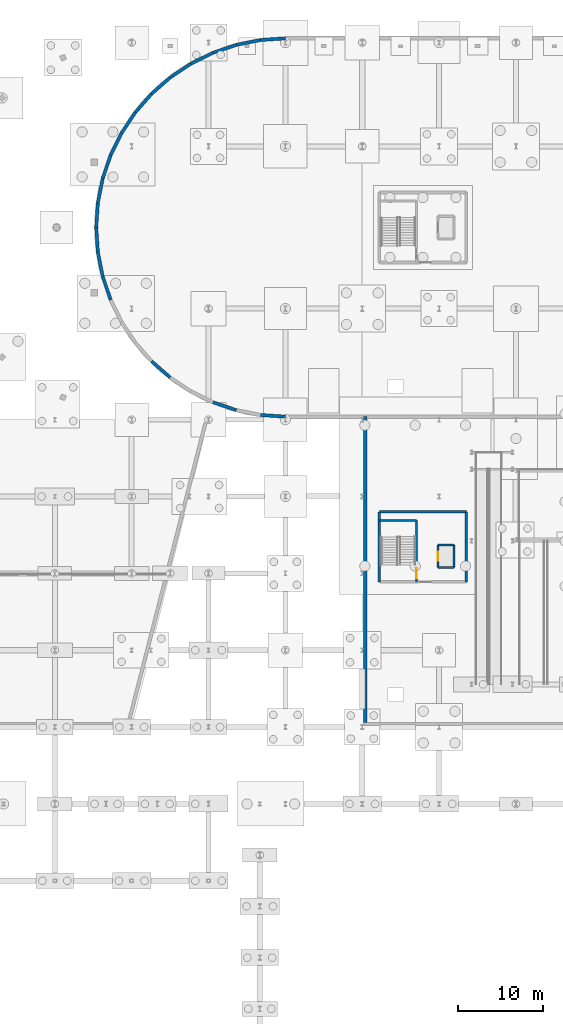
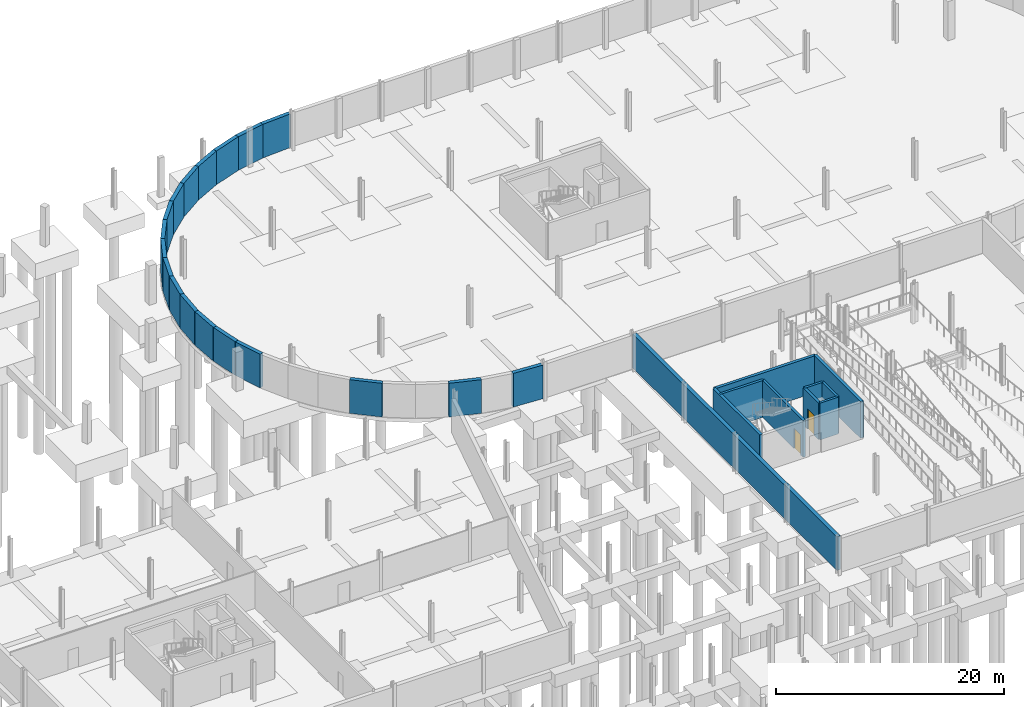
# One storey, part 35 of 42: 28 walls, 2 doors, 2 openings.
"""IFC4 building model written with IfcOpenShell, lengths in metres."""

from ifc_helpers import new_model, si_unit, direction, frame, frame_2d, origin, place, context, subcontext, project, spatial, rectangle, extrude, material, layer, layer_set, type_object, element, fill, save


model = new_model("IFC4")

# Units and contexts
model_context = context("Model", 3, precision=1e-05, world=origin(), true_north=direction((0.0, 1.0)))
body_context = subcontext(model_context, "Body", "Model", "MODEL_VIEW")
ifc_project = project(units=[si_unit("LENGTHUNIT", "METRE"), si_unit("AREAUNIT", "SQUARE_METRE"), si_unit("VOLUMEUNIT", "CUBIC_METRE"), si_unit("PLANEANGLEUNIT", "RADIAN"), si_unit("MASSUNIT", "GRAM", prefix="KILO")], contexts=[model_context])

# Site, building, storey
site_placement = place(None, origin())
site = spatial("IfcSite", under=ifc_project, at=site_placement, CompositionType="ELEMENT")
building_placement = place(site_placement, origin())
building = spatial("IfcBuilding", under=site, at=building_placement, Name="Deido Ridge Mobility Hub", CompositionType="ELEMENT")
storey_placement = place(building_placement, frame((0.0, 0.0, -4.199951171875)))
storey = spatial("IfcBuildingStorey", under=building, at=storey_placement, Name="B1", CompositionType="ELEMENT", Elevation=-4.199951171875)

# Walls
ifc_material_1 = material(Name="Concrete C40/50", Category="concrete")
ifc_layer_1 = layer(ifc_material_1, 0.3798828125, Name="Concrete C40/50")
ifc_layer_set_1 = layer_set([ifc_layer_1], Name="Concrete C40/50")
wall_type_1 = type_object("IfcWallType", Name="WL-RET-RC-380", PredefinedType="USERDEFINED", material=ifc_layer_set_1)
wall_1_placement = place(storey_placement, frame((72.35009765625, 45.5400390625, 0.0), z_axis=(0.0, 0.0, 1.0), x_axis=(0.0, 1.0, 0.0)))
element("IfcWall", 1, at=wall_1_placement, inside=storey, type_object=wall_type_1, Name="Basement perimeter retaining wall", ObjectType="RETAINING WALL", PredefinedType="USERDEFINED", context=body_context, shape_type="SweptSolid", body=[
    extrude(rectangle(XDim=35.81005859375, YDim=0.3798828125, at=frame_2d((17.905029296875, 0.0))), origin(), (0.0, 0.0, 1.0), 3.599853515625),
])
wall_2_placement = place(storey_placement, frame((63.0, 125.64990234375, 0.0), z_axis=(0.0, 0.0, 1.0), x_axis=(-0.997859834312, -0.065389227447, 0.0)))
element("IfcWall", 2, at=wall_2_placement, inside=storey, type_object=wall_type_1, Name="Basement drum retaining wall", ObjectType="RETAINING WALL", PredefinedType="USERDEFINED", context=body_context, shape_type="SweptSolid", body=[
    extrude(rectangle(XDim=2.897216796875, YDim=0.3798828125, at=frame_2d((1.44873046875, 0.0))), origin(), (0.0, 0.0, 1.0), 3.599853515625),
])
wall_3_placement = place(storey_placement, frame((60.10888671875, 125.46044921875, 0.0), z_axis=(0.0, 0.0, 1.0), x_axis=(-0.98079076097, -0.195062767323, 0.0)))
element("IfcWall", 3, at=wall_3_placement, inside=storey, type_object=wall_type_1, Name="Basement drum retaining wall", ObjectType="RETAINING WALL", PredefinedType="USERDEFINED", context=body_context, shape_type="SweptSolid", body=[
    extrude(rectangle(XDim=2.8974609375, YDim=0.3798828125, at=frame_2d((1.44873046875, 0.0))), origin(), (0.0, 0.0, 1.0), 3.599853515625),
])
for number, where, z_axis, x_axis, name in (
    (4, (57.26708984375, 124.895263671875, 0.0), (0.0, 0.0, 1.0), (-0.946915957425, -0.321481211852, 0.0), "Basement drum retaining wall"),
    (5, (54.523681640625, 123.9638671875, 0.0), (0.0, 0.0, 1.0), (-0.896907498554, -0.44221820297, 0.0), "Basement drum retaining wall"),
):
    element("IfcWall", number, at=place(storey_placement, frame(where, z_axis=z_axis, x_axis=x_axis)), inside=storey, type_object=wall_type_1, Name=name, ObjectType="RETAINING WALL", PredefinedType="USERDEFINED", context=body_context, shape_type="SweptSolid", body=[
        extrude(rectangle(XDim=2.897216796875, YDim=0.3798828125, at=frame_2d((1.44873046875, 0.0))), origin(), (0.0, 0.0, 1.0), 3.599853515625),
    ])
wall_4_placement = place(storey_placement, frame((51.925048828125, 122.6826171875, 0.0), z_axis=(0.0, 0.0, 1.0), x_axis=(-0.83145352938, -0.55559430206, 0.0)))
element("IfcWall", 6, at=wall_4_placement, inside=storey, type_object=wall_type_1, Name="Basement drum retaining wall", ObjectType="RETAINING WALL", PredefinedType="USERDEFINED", context=body_context, shape_type="SweptSolid", body=[
    extrude(rectangle(XDim=2.8974609375, YDim=0.3798828125, at=frame_2d((1.44873046875, 0.0))), origin(), (0.0, 0.0, 1.0), 3.599853515625),
])
for number, where, z_axis, x_axis, name in (
    (7, (49.515869140625, 121.07275390625, 0.0), (0.0, 0.0, 1.0), (-0.751814075381, -0.659375155779, 0.0), "Basement drum retaining wall"),
    (8, (47.337646484375, 119.162353515625, 0.0), (0.0, 0.0, 1.0), (-0.659375155779, -0.751814075381, 0.0), "Basement drum retaining wall"),
):
    element("IfcWall", number, at=place(storey_placement, frame(where, z_axis=z_axis, x_axis=x_axis)), inside=storey, type_object=wall_type_1, Name=name, ObjectType="RETAINING WALL", PredefinedType="USERDEFINED", context=body_context, shape_type="SweptSolid", body=[
        extrude(rectangle(XDim=2.897216796875, YDim=0.3798828125, at=frame_2d((1.44873046875, 0.0))), origin(), (0.0, 0.0, 1.0), 3.599853515625),
    ])
wall_5_placement = place(storey_placement, frame((45.42724609375, 116.984130859375, 0.0), z_axis=(0.0, 0.0, 1.0), x_axis=(-0.55559430206, -0.83145352938, 0.0)))
element("IfcWall", 9, at=wall_5_placement, inside=storey, type_object=wall_type_1, Name="Basement drum retaining wall", ObjectType="RETAINING WALL", PredefinedType="USERDEFINED", context=body_context, shape_type="SweptSolid", body=[
    extrude(rectangle(XDim=2.8974609375, YDim=0.3798828125, at=frame_2d((1.44873046875, 0.0))), origin(), (0.0, 0.0, 1.0), 3.599853515625),
])
for number, where, z_axis, x_axis, name in (
    (10, (43.8173828125, 114.574951171875, 0.0), (0.0, 0.0, 1.0), (-0.44221820297, -0.896907498554, 0.0), "Basement drum retaining wall"),
    (11, (42.5361328125, 111.976318359375, 0.0), (0.0, 0.0, 1.0), (-0.321481211852, -0.946915957425, 0.0), "Basement drum retaining wall"),
):
    element("IfcWall", number, at=place(storey_placement, frame(where, z_axis=z_axis, x_axis=x_axis)), inside=storey, type_object=wall_type_1, Name=name, ObjectType="RETAINING WALL", PredefinedType="USERDEFINED", context=body_context, shape_type="SweptSolid", body=[
        extrude(rectangle(XDim=2.897216796875, YDim=0.3798828125, at=frame_2d((1.44873046875, 0.0))), origin(), (0.0, 0.0, 1.0), 3.599853515625),
    ])
wall_6_placement = place(storey_placement, frame((41.604736328125, 109.23291015625, 0.0), z_axis=(0.0, 0.0, 1.0), x_axis=(-0.195062767323, -0.98079076097, 0.0)))
element("IfcWall", 12, at=wall_6_placement, inside=storey, type_object=wall_type_1, Name="Basement drum retaining wall", ObjectType="RETAINING WALL", PredefinedType="USERDEFINED", context=body_context, shape_type="SweptSolid", body=[
    extrude(rectangle(XDim=2.8974609375, YDim=0.3798828125, at=frame_2d((1.44873046875, 0.0))), origin(), (0.0, 0.0, 1.0), 3.599853515625),
])
for number, where, z_axis, x_axis, name in (
    (13, (41.03955078125, 106.39111328125, 0.0), (0.0, 0.0, 1.0), (-0.065389227447, -0.997859834312, 0.0), "Basement drum retaining wall"),
    (14, (40.85009765625, 103.5, 0.0), (0.0, 0.0, 1.0), (0.065389227447, -0.997859834312, 0.0), "Basement drum retaining wall"),
):
    element("IfcWall", number, at=place(storey_placement, frame(where, z_axis=z_axis, x_axis=x_axis)), inside=storey, type_object=wall_type_1, Name=name, ObjectType="RETAINING WALL", PredefinedType="USERDEFINED", context=body_context, shape_type="SweptSolid", body=[
        extrude(rectangle(XDim=2.897216796875, YDim=0.3798828125, at=frame_2d((1.44873046875, 0.0))), origin(), (0.0, 0.0, 1.0), 3.599853515625),
    ])
wall_7_placement = place(storey_placement, frame((41.03955078125, 100.60888671875, 0.0), z_axis=(0.0, 0.0, 1.0), x_axis=(0.195062767323, -0.98079076097, 0.0)))
element("IfcWall", 15, at=wall_7_placement, inside=storey, type_object=wall_type_1, Name="Basement drum retaining wall", ObjectType="RETAINING WALL", PredefinedType="USERDEFINED", context=body_context, shape_type="SweptSolid", body=[
    extrude(rectangle(XDim=2.8974609375, YDim=0.3798828125, at=frame_2d((1.44873046875, 0.0))), origin(), (0.0, 0.0, 1.0), 3.599853515625),
])
for number, where, z_axis, x_axis, name in (
    (16, (41.604736328125, 97.76708984375, 0.0), (0.0, 0.0, 1.0), (0.321481211852, -0.946915957425, 0.0), "Basement drum retaining wall"),
    (17, (47.337646484375, 87.837646484375, 0.0), (0.0, 0.0, 1.0), (0.751814075381, -0.659375155779, 0.0), "Basement drum retaining wall"),
    (18, (54.523681640625, 83.0361328125, 0.0), (0.0, 0.0, 1.0), (0.946915957425, -0.321481211852, 0.0), "Basement drum retaining wall"),
    (19, (60.10888671875, 81.53955078125, 0.0), (0.0, 0.0, 1.0), (0.997859834312, -0.065389227447, 0.0), "Basement drum retaining wall"),
):
    element("IfcWall", number, at=place(storey_placement, frame(where, z_axis=z_axis, x_axis=x_axis)), inside=storey, type_object=wall_type_1, Name=name, ObjectType="RETAINING WALL", PredefinedType="USERDEFINED", context=body_context, shape_type="SweptSolid", body=[
        extrude(rectangle(XDim=2.897216796875, YDim=0.3798828125, at=frame_2d((1.44873046875, 0.0))), origin(), (0.0, 0.0, 1.0), 3.599853515625),
    ])

# Wall, opening, door
ifc_layer_2 = layer(ifc_material_1, 0.25, Name="Concrete C40/50")
ifc_layer_set_2 = layer_set([ifc_layer_2], Name="Concrete C40/50")
wall_type_2 = type_object("IfcWallType", Name="WL-SHR-RC-250", PredefinedType="SHEAR", material=ifc_layer_set_2)
wall_8_placement = place(storey_placement, frame((78.360107421875, 62.0, 0.0), z_axis=(0.0, 0.0, 1.0), x_axis=(0.0, 1.0, 0.0)))
wall_8 = element("IfcWall", 20, at=wall_8_placement, inside=storey, type_object=wall_type_2, Name="C4 stair shaft east wall", PredefinedType="SHEAR", context=body_context, shape_type="SweptSolid", body=[
    extrude(rectangle(XDim=7.199951171875, YDim=0.25, at=frame_2d((3.60009765625, 0.0))), origin(), (0.0, 0.0, 1.0), 3.93994140625),
])
opening_1_placement = place(wall_8_placement, frame((0.449951171875, 0.0, 0.0)))
opening_1 = element("IfcOpeningElement", 21, at=opening_1_placement, cuts=wall_8, Name="Opening FD-C4-B1", PredefinedType="OPENING", context=body_context, shape_type="SweptSolid", body=[
    extrude(rectangle(XDim=1.14990234375, YDim=2.14990234375, at=frame_2d((0.574951171875, 1.074951171875))), frame((0.0, 0.135009765625, 0.0), z_axis=(0.0, -1.0, 0.0), x_axis=(1.0, 0.0, 0.0)), (0.0, 0.0, 1.0), 0.27001953125),
])
ifc_material_2 = material(Name="Galvanised steel work", Category="steel")
door_type_1 = type_object("IfcDoorType", Name="DR-FD60-1150X2150", OperationType="NOTDEFINED", PredefinedType="DOOR", material=ifc_material_2)
door_1_placement = place(opening_1_placement, origin())
door_1 = element("IfcDoor", 22, at=door_1_placement, inside=storey, type_object=door_type_1, Name="DR-I0079 C4 protected stair door (B1)", OperationType="SINGLE_SWING_LEFT", OverallHeight=2.14990234375, OverallWidth=1.14990234375, PredefinedType="DOOR", context=body_context, shape_type="SweptSolid", body=[
    extrude(rectangle(XDim=1.14990234375, YDim=2.14990234375, at=frame_2d((0.574951171875, 1.074951171875))), frame((0.0, 0.02490234375, 0.0), z_axis=(0.0, -1.0, 0.0), x_axis=(1.0, 0.0, 0.0)), (0.0, 0.0, 1.0), 0.050048828125),
])
fill(opening_1, door_1)

# Walls
wall_9_placement = place(storey_placement, frame((74.0, 69.199951171875, 0.0), z_axis=(0.0, 0.0, 1.0), x_axis=(1.0, 0.0, 0.0)))
element("IfcWall", 23, at=wall_9_placement, inside=storey, type_object=wall_type_2, Name="C4 stair shaft north wall", PredefinedType="SHEAR", context=body_context, shape_type="SweptSolid", body=[
    extrude(rectangle(XDim=4.360107421875, YDim=0.25, at=frame_2d((2.18017578125, 0.0))), origin(), (0.0, 0.0, 1.0), 3.93994140625),
])
for number, where, z_axis, x_axis, name in (
    (24, (80.875, 63.675048828125, 0.0), (0.0, 0.0, 1.0), (1.0, 0.0, 0.0), "Lift PL2 south shaft wall"),
    (25, (80.875, 66.324951171875, 0.0), (0.0, 0.0, 1.0), (1.0, 0.0, 0.0), "Lift PL2 north shaft wall"),
):
    element("IfcWall", number, at=place(storey_placement, frame(where, z_axis=z_axis, x_axis=x_axis)), inside=storey, type_object=wall_type_2, Name=name, PredefinedType="SHEAR", context=body_context, shape_type="SweptSolid", body=[
        extrude(rectangle(XDim=1.85009765625, YDim=0.25, at=frame_2d((0.925048828125, 0.0))), origin(), (0.0, 0.0, 1.0), 3.93994140625),
    ])
wall_10_placement = place(storey_placement, frame((82.72509765625, 63.675048828125, 0.0), z_axis=(0.0, 0.0, 1.0), x_axis=(0.0, 1.0, 0.0)))
element("IfcWall", 26, at=wall_10_placement, inside=storey, type_object=wall_type_2, Name="Lift PL2 rear shaft wall", PredefinedType="SHEAR", context=body_context, shape_type="SweptSolid", body=[
    extrude(rectangle(XDim=2.64990234375, YDim=0.25, at=frame_2d((1.324951171875, 0.0))), origin(), (0.0, 0.0, 1.0), 3.93994140625),
])

# Wall, opening, door
wall_11_placement = place(storey_placement, frame((80.875, 63.675048828125, 0.0), z_axis=(0.0, 0.0, 1.0), x_axis=(0.0, 1.0, 0.0)))
wall_11 = element("IfcWall", 27, at=wall_11_placement, inside=storey, type_object=wall_type_2, Name="Lift PL2 landing wall", PredefinedType="SHEAR", context=body_context, shape_type="SweptSolid", body=[
    extrude(rectangle(XDim=2.64990234375, YDim=0.25, at=frame_2d((1.324951171875, 0.0))), origin(), (0.0, 0.0, 1.0), 3.93994140625),
])
opening_2_placement = place(wall_11_placement, frame((0.77490234375, 0.0, 0.0)))
opening_2 = element("IfcOpeningElement", 28, at=opening_2_placement, cuts=wall_11, Name="Opening LD-PL2", PredefinedType="OPENING", context=body_context, shape_type="SweptSolid", body=[
    extrude(rectangle(XDim=1.10009765625, YDim=2.14990234375, at=frame_2d((0.550048828125, 1.074951171875))), frame((0.0, 0.135009765625, 0.0), z_axis=(0.0, -1.0, 0.0), x_axis=(1.0, 0.0, 0.0)), (0.0, 0.0, 1.0), 0.27001953125),
])
ifc_material_3 = material(Name="Stainless steel 316", Category="steel")
door_type_2 = type_object("IfcDoorType", Name="DR-LND-PAS-1100X2150", OperationType="DOUBLE_DOOR_SLIDING", PredefinedType="USERDEFINED", material=ifc_material_3)
door_2_placement = place(opening_2_placement, origin())
door_2 = element("IfcDoor", 29, at=door_2_placement, inside=storey, type_object=door_type_2, Name="DR-I0081 Lift PL2 sliding landing door (B1)", ObjectType="LANDING DOOR", OperationType="DOUBLE_DOOR_SLIDING", OverallHeight=2.14990234375, OverallWidth=1.10009765625, PredefinedType="USERDEFINED", context=body_context, shape_type="SweptSolid", body=[
    extrude(rectangle(XDim=1.10009765625, YDim=2.14990234375, at=frame_2d((0.550048828125, 1.074951171875))), frame((0.0, 0.02490234375, 0.0), z_axis=(0.0, -1.0, 0.0), x_axis=(1.0, 0.0, 0.0)), (0.0, 0.0, 1.0), 0.050048828125),
])
fill(opening_2, door_2)

# Walls
ifc_layer_3 = layer(ifc_material_1, 0.300048828125, Name="Concrete C40/50")
ifc_layer_set_3 = layer_set([ifc_layer_3], Name="Concrete C40/50")
wall_type_3 = type_object("IfcWallType", Name="WL-SHR-RC-300", PredefinedType="SHEAR", material=ifc_layer_set_3)
wall_12_placement = place(storey_placement, frame((84.199951171875, 62.0, 0.0), z_axis=(0.0, 0.0, 1.0), x_axis=(0.0, 1.0, 0.0)))
element("IfcWall", 30, at=wall_12_placement, inside=storey, type_object=wall_type_3, Name="C4 east shear wall", PredefinedType="SHEAR", context=body_context, shape_type="SweptSolid", body=[
    extrude(rectangle(XDim=8.199951171875, YDim=0.300048828125, at=frame_2d((4.10009765625, 0.0))), origin(), (0.0, 0.0, 1.0), 3.93994140625),
])
wall_13_placement = place(storey_placement, frame((84.199951171875, 70.199951171875, 0.0), z_axis=(0.0, 0.0, 1.0), x_axis=(-1.0, 0.0, 0.0)))
element("IfcWall", 31, at=wall_13_placement, inside=storey, type_object=wall_type_3, Name="C4 north shear wall", PredefinedType="SHEAR", context=body_context, shape_type="SweptSolid", body=[
    extrude(rectangle(XDim=10.199951171875, YDim=0.300048828125, at=frame_2d((5.10009765625, 0.0))), origin(), (0.0, 0.0, 1.0), 3.93994140625),
])
wall_14_placement = place(storey_placement, frame((74.0, 70.199951171875, 0.0), z_axis=(0.0, 0.0, 1.0), x_axis=(0.0, -1.0, 0.0)))
element("IfcWall", 32, at=wall_14_placement, inside=storey, type_object=wall_type_3, Name="C4 west shear wall", PredefinedType="SHEAR", context=body_context, shape_type="SweptSolid", body=[
    extrude(rectangle(XDim=8.199951171875, YDim=0.300048828125, at=frame_2d((4.10009765625, 0.0))), origin(), (0.0, 0.0, 1.0), 3.93994140625),
])

save(model, "model.ifc")
